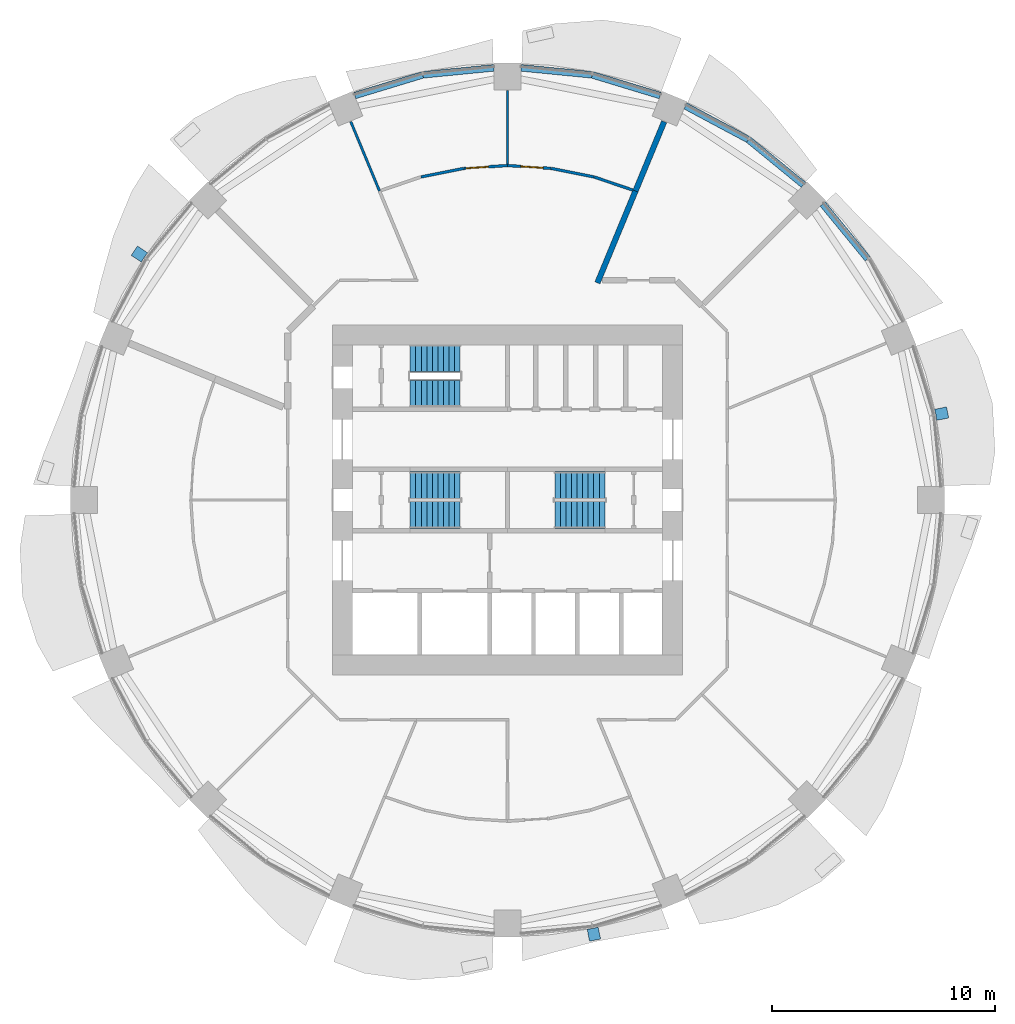
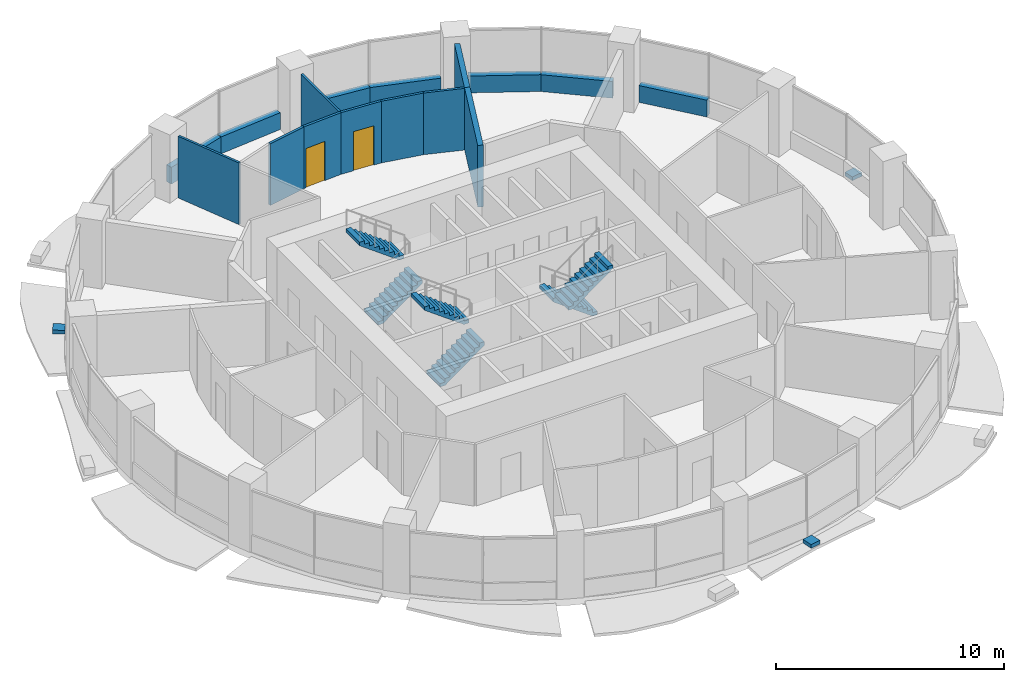
# One storey, part 11 of 15: 16 walls, 6 stair flights, 3 discrete accessories, 2 doors, 2 openings, 3 elements without a shape of their own.
"""IFC4 building model written with IfcOpenShell, lengths in metres."""

from ifc_helpers import new_model, si_unit, direction, frame, frame_2d, origin, place, context, subcontext, project, spatial, polyline, rectangle, outline, extrude, material, layer, layer_set, type_object, element, fill, aggregate, save


model = new_model("IFC4")

# Units and contexts
model_context = context("Model", 3, precision=1e-05, world=origin(), true_north=direction((0.0, 1.0)))
body_context = subcontext(model_context, "Body", "Model", "MODEL_VIEW")
ifc_project = project(units=[si_unit("LENGTHUNIT", "METRE"), si_unit("AREAUNIT", "SQUARE_METRE"), si_unit("VOLUMEUNIT", "CUBIC_METRE"), si_unit("PLANEANGLEUNIT", "RADIAN"), si_unit("MASSUNIT", "GRAM", prefix="KILO")], contexts=[model_context])

# Site, building, storey
site_placement = place(None, origin())
site = spatial("IfcSite", under=ifc_project, at=site_placement, CompositionType="ELEMENT")
building_placement = place(site_placement, origin())
building = spatial("IfcBuilding", under=site, at=building_placement, Name="Polderwave Tower", CompositionType="ELEMENT")
storey_placement = place(building_placement, frame((0.0, 0.0, 55.39990234375)))
storey = spatial("IfcBuildingStorey", under=building, at=storey_placement, Name="L14", CompositionType="ELEMENT", Elevation=55.39990234375)

# Walls
ifc_material_1 = material(Name="Concrete C50/60 (board-marked)", Category="concrete")
ifc_layer_1 = layer(ifc_material_1, 0.300048828125)
ifc_layer_set_1 = layer_set([ifc_layer_1], Name="Concrete spandrel upstand C50/60")
wall_type_1 = type_object("IfcWallType", Name="Concrete spandrel upstand C50/60", PredefinedType="SOLIDWALL", material=ifc_layer_set_1)
for number, where, z_axis, x_axis, name in (
    (1, (16.1875, 10.83349609375, 0.0), (0.0, 0.0, 1.0), (-0.634229767652, 0.773144618958, 0.0), "Spandrel L14 2b"),
    (2, (13.29833984375, 14.16552734375, 0.0), (0.0, 0.0, 1.0), (-0.773144618958, 0.634229767652, 0.0), "Spandrel L14 3a"),
):
    element("IfcWall", number, at=place(storey_placement, frame(where, z_axis=z_axis, x_axis=x_axis)), inside=storey, type_object=wall_type_1, Name=name, PredefinedType="SOLIDWALL", context=body_context, shape_type="SweptSolid", body=[
        extrude(rectangle(XDim=3.18798828125, YDim=0.300048828125, at=frame_2d((1.593994140625, 0.0))), origin(), (0.0, 0.0, 1.0), 0.900146484375),
    ])
wall_1_placement = place(storey_placement, frame((10.808837890625, 16.2041015625, 0.0), z_axis=(0.0, 0.0, 1.0), x_axis=(-0.881994263934, 0.471260138764, 0.0)))
element("IfcWall", 3, at=wall_1_placement, inside=storey, type_object=wall_type_1, Name="Spandrel L14 3b", PredefinedType="SOLIDWALL", context=body_context, shape_type="SweptSolid", body=[
    extrude(rectangle(XDim=3.1865234375, YDim=0.300048828125, at=frame_2d((1.59326171875, 0.0))), origin(), (0.0, 0.0, 1.0), 0.900146484375),
])
wall_2_placement = place(storey_placement, frame((6.864501953125, 18.17529296875, 0.0), z_axis=(0.0, 0.0, 1.0), x_axis=(-0.956849017819, 0.290585541792, 0.0)))
element("IfcWall", 4, at=wall_2_placement, inside=storey, type_object=wall_type_1, Name="Spandrel L14 4a", PredefinedType="SOLIDWALL", context=body_context, shape_type="SweptSolid", body=[
    extrude(rectangle(XDim=3.1875, YDim=0.300048828125, at=frame_2d((1.59375, 0.0))), origin(), (0.0, 0.0, 1.0), 0.900146484375),
])
for number, where, z_axis, x_axis, name in (
    (5, (3.78515625, 19.107421875, 0.0), (0.0, 0.0, 1.0), (-0.995198144732, 0.097880808755, 0.0), "Spandrel L14 4b"),
    (6, (-0.61279296875, 19.41943359375, 0.0), (0.0, 0.0, 1.0), (-0.995198144732, -0.097880808755, 0.0), "Spandrel L14 5a"),
):
    element("IfcWall", number, at=place(storey_placement, frame(where, z_axis=z_axis, x_axis=x_axis)), inside=storey, type_object=wall_type_1, Name=name, PredefinedType="SOLIDWALL", context=body_context, shape_type="SweptSolid", body=[
        extrude(rectangle(XDim=3.187744140625, YDim=0.300048828125, at=frame_2d((1.59375, 0.0))), origin(), (0.0, 0.0, 1.0), 0.900146484375),
    ])
wall_3_placement = place(storey_placement, frame((-3.814453125, 19.1015625, 0.0), z_axis=(0.0, 0.0, 1.0), x_axis=(-0.956849017819, -0.290585541792, 0.0)))
element("IfcWall", 7, at=wall_3_placement, inside=storey, type_object=wall_type_1, Name="Spandrel L14 5b", PredefinedType="SOLIDWALL", context=body_context, shape_type="SweptSolid", body=[
    extrude(rectangle(XDim=3.1875, YDim=0.300048828125, at=frame_2d((1.59375, 0.0))), origin(), (0.0, 0.0, 1.0), 0.900146484375),
])

# Wall, opening, door
ifc_material_2 = material(Name="Fire-resisting board on steel studs", Category="steel")
ifc_layer_2 = layer(ifc_material_2, 0.125)
ifc_layer_set_2 = layer_set([ifc_layer_2], Name="Corridor wall 125 mm EI 60")
wall_type_2 = type_object("IfcWallType", Name="Corridor wall 125 mm EI 60", PredefinedType="PARTITIONING", material=ifc_layer_set_2)
wall_4_placement = place(storey_placement, frame((0.0, 15.030029296875, 0.0), z_axis=(0.0, 0.0, 1.0), x_axis=(0.997855616904, -0.065453554619, 0.0)))
wall_4 = element("IfcWall", 8, at=wall_4_placement, inside=storey, type_object=wall_type_2, Name="IN-L14-W035", PredefinedType="PARTITIONING", context=body_context, shape_type="SweptSolid", body=[
    extrude(rectangle(XDim=1.9619140625, YDim=0.125, at=frame_2d((0.98095703125, 0.0))), origin(), (0.0, 0.0, 1.0), 3.300048828125),
])
opening_1_placement = place(wall_4_placement, frame((0.60009765625, 0.0, 0.0)))
opening_1 = element("IfcOpeningElement", 9, at=opening_1_placement, cuts=wall_4, Name="Opening L14-D63", PredefinedType="OPENING", context=body_context, shape_type="SweptSolid", body=[
    extrude(rectangle(XDim=1.0, YDim=2.10009765625, at=frame_2d((0.5, 1.050048828125))), frame((0.0, 0.072509765625, 0.0), z_axis=(0.0, -1.0, 0.0), x_axis=(1.0, 0.0, 0.0)), (0.0, 0.0, 1.0), 0.14501953125),
])
ifc_material_3 = material(Name="Timber fire door leaf", Category="wood")
door_type = type_object("IfcDoorType", Name="Fire door FD30S 1000 x 2100", OperationType="NOTDEFINED", PredefinedType="DOOR", material=ifc_material_3)
door_1_placement = place(opening_1_placement, origin())
door_1 = element("IfcDoor", 10, at=door_1_placement, inside=storey, type_object=door_type, Name="Door L14-D63", OperationType="SINGLE_SWING_RIGHT", OverallHeight=2.10009765625, OverallWidth=1.0, PredefinedType="DOOR", context=body_context, shape_type="SweptSolid", body=[
    extrude(rectangle(XDim=1.0, YDim=2.10009765625, at=frame_2d((0.5, 1.050048828125))), frame((0.0, 0.02490234375, 0.0), z_axis=(0.0, -1.0, 0.0), x_axis=(1.0, 0.0, 0.0)), (0.0, 0.0, 1.0), 0.050048828125),
])
fill(opening_1, door_1)

# Walls
wall_5_placement = place(storey_placement, frame((1.9658203125, 14.900634765625, 0.0), z_axis=(0.0, 0.0, 1.0), x_axis=(0.980795915473, -0.19503684829, 0.0)))
element("IfcWall", 11, at=wall_5_placement, inside=storey, type_object=wall_type_2, Name="IN-L14-W036", PredefinedType="PARTITIONING", context=body_context, shape_type="SweptSolid", body=[
    extrude(rectangle(XDim=1.957763671875, YDim=0.125, at=frame_2d((0.97900390625, 0.0))), origin(), (0.0, 0.0, 1.0), 3.300048828125),
])
wall_6_placement = place(storey_placement, frame((3.89404296875, 14.5166015625, 0.0), z_axis=(0.0, 0.0, 1.0), x_axis=(0.946909907848, -0.321499030201, 0.0)))
element("IfcWall", 12, at=wall_6_placement, inside=storey, type_object=wall_type_2, Name="IN-L14-W037", PredefinedType="PARTITIONING", context=body_context, shape_type="SweptSolid", body=[
    extrude(rectangle(XDim=1.832275390625, YDim=0.125, at=frame_2d((0.916015625, 0.0))), origin(), (0.0, 0.0, 1.0), 3.300048828125),
])
wall_7_placement = place(storey_placement, frame((-3.885986328125, 14.518798828125, 0.0), z_axis=(0.0, 0.0, 1.0), x_axis=(0.980795915473, 0.19503684829, 0.0)))
element("IfcWall", 13, at=wall_7_placement, inside=storey, type_object=wall_type_2, Name="IN-L14-W040", PredefinedType="PARTITIONING", context=body_context, shape_type="SweptSolid", body=[
    extrude(rectangle(XDim=1.957763671875, YDim=0.125, at=frame_2d((0.97900390625, 0.0))), origin(), (0.0, 0.0, 1.0), 3.300048828125),
])

# Wall, opening, door
wall_8_placement = place(storey_placement, frame((-1.957763671875, 14.901611328125, 0.0), z_axis=(0.0, 0.0, 1.0), x_axis=(0.997855616904, 0.065453554619, 0.0)))
wall_8 = element("IfcWall", 14, at=wall_8_placement, inside=storey, type_object=wall_type_2, Name="IN-L14-W041", PredefinedType="PARTITIONING", context=body_context, shape_type="SweptSolid", body=[
    extrude(rectangle(XDim=1.9619140625, YDim=0.125, at=frame_2d((0.98095703125, 0.0))), origin(), (0.0, 0.0, 1.0), 3.300048828125),
])
opening_2_placement = place(wall_8_placement, frame((0.10009765625, 0.0, 0.0)))
opening_2 = element("IfcOpeningElement", 15, at=opening_2_placement, cuts=wall_8, Name="Opening L14-D64", PredefinedType="OPENING", context=body_context, shape_type="SweptSolid", body=[
    extrude(rectangle(XDim=1.0, YDim=2.10009765625, at=frame_2d((0.5, 1.050048828125))), frame((0.0, 0.072509765625, 0.0), z_axis=(0.0, -1.0, 0.0), x_axis=(1.0, 0.0, 0.0)), (0.0, 0.0, 1.0), 0.14501953125),
])
door_2_placement = place(opening_2_placement, origin())
door_2 = element("IfcDoor", 16, at=door_2_placement, inside=storey, type_object=door_type, Name="Door L14-D64", OperationType="SINGLE_SWING_LEFT", OverallHeight=2.10009765625, OverallWidth=1.0, PredefinedType="DOOR", context=body_context, shape_type="SweptSolid", body=[
    extrude(rectangle(XDim=1.0, YDim=2.10009765625, at=frame_2d((0.5, 1.050048828125))), frame((0.0, 0.02490234375, 0.0), z_axis=(0.0, -1.0, 0.0), x_axis=(1.0, 0.0, 0.0)), (0.0, 0.0, 1.0), 0.050048828125),
])
fill(opening_2, door_2)

# Walls
ifc_material_4 = material(Name="Acoustic double plasterboard on steel studs", Category="steel")
ifc_layer_3 = layer(ifc_material_4, 0.110107421875)
ifc_layer_set_3 = layer_set([ifc_layer_3], Name="Partition 110 mm acoustic double board")
wall_type_3 = type_object("IfcWallType", Name="Partition 110 mm acoustic double board", PredefinedType="PARTITIONING", material=ifc_layer_set_3)
wall_9_placement = place(storey_placement, frame((0.0, 15.09619140625, 0.0), z_axis=(0.0, 0.0, 1.0), x_axis=(0.0, 1.0, 0.0)))
element("IfcWall", 17, at=wall_9_placement, inside=storey, type_object=wall_type_3, Name="IN-L14-W038", PredefinedType="PARTITIONING", context=body_context, shape_type="SweptSolid", body=[
    extrude(rectangle(XDim=3.3037109375, YDim=0.110107421875, at=frame_2d((1.65185546875, 0.0))), origin(), (0.0, 0.0, 1.0), 3.300048828125),
])
wall_10_placement = place(storey_placement, frame((-5.751708984375, 13.885986328125, 0.0), z_axis=(0.0, 0.0, 1.0), x_axis=(-0.382716478617, 0.923865843613, 0.0)))
element("IfcWall", 18, at=wall_10_placement, inside=storey, type_object=wall_type_3, Name="IN-L14-W043", PredefinedType="PARTITIONING", context=body_context, shape_type="SweptSolid", body=[
    extrude(rectangle(XDim=3.3701171875, YDim=0.110107421875, at=frame_2d((1.68505859375, 0.0))), origin(), (0.0, 0.0, 1.0), 3.300048828125),
])
ifc_material_5 = material(Name="Fire-resisting board on steel studs, mineral wool", Category="steel")
ifc_layer_4 = layer(ifc_material_5, 0.25)
ifc_layer_set_4 = layer_set([ifc_layer_4], Name="Plant room wall 250 mm EI 120")
wall_type_4 = type_object("IfcWallType", Name="Plant room wall 250 mm EI 120", PredefinedType="PARTITIONING", material=ifc_layer_set_4)
wall_11_placement = place(storey_placement, frame((4.0419921875, 9.758544921875, 0.0), z_axis=(0.0, 0.0, 1.0), x_axis=(0.382697682956, 0.923873629595, 0.0)))
element("IfcWall", 19, at=wall_11_placement, inside=storey, type_object=wall_type_4, Name="IN-L14-W033", PredefinedType="PARTITIONING", context=body_context, shape_type="SweptSolid", body=[
    extrude(rectangle(XDim=4.467529296875, YDim=0.25, at=frame_2d((2.23388671875, 0.0))), origin(), (0.0, 0.0, 1.0), 3.300048828125),
])
wall_12_placement = place(storey_placement, frame((5.751708984375, 13.885986328125, 0.0), z_axis=(0.0, 0.0, 1.0), x_axis=(0.382716478617, 0.923865843613, 0.0)))
element("IfcWall", 20, at=wall_12_placement, inside=storey, type_object=wall_type_4, Name="IN-L14-W034", PredefinedType="PARTITIONING", context=body_context, shape_type="SweptSolid", body=[
    extrude(rectangle(XDim=3.3701171875, YDim=0.25, at=frame_2d((1.68505859375, 0.0))), origin(), (0.0, 0.0, 1.0), 3.300048828125),
])

# Stair, stair flights
ifc_material_6 = material(Name="Concrete C40/50", Category="concrete")
stair_type = type_object("IfcStairType", Name="Exit stair 1200 x 20 risers", PredefinedType="HALF_TURN_STAIR", material=ifc_material_6)
stair_1_placement = place(storey_placement, origin())
stair_1 = element("IfcStair", 21, at=stair_1_placement, inside=storey, type_object=stair_type, Name="L14 Exit stair A", PredefinedType="HALF_TURN_STAIR")
stair_flight_type = type_object("IfcStairFlightType", Name="Stair flight 1200", PredefinedType="STRAIGHT", material=ifc_material_6)
stair_flight_1_placement = place(storey_placement, frame((-4.3740234375, -0.675048828125, 0.0), z_axis=(0.0, 0.0, 1.0), x_axis=(1.0, 0.0, 0.0)))
stair_flight_1 = element("IfcStairFlight", 22, at=stair_flight_1_placement, type_object=stair_flight_type, Name="ST-A flight 1", NumberOfRisers=10, NumberOfTreads=9, PredefinedType="STRAIGHT", RiserHeight=0.1825, TreadLength=0.25, context=body_context, shape_type="SweptSolid", body=[
    extrude(outline(polyline([(0.0, 0.0), (0.0, 0.1826171875), (0.25, 0.1826171875), (0.25, 0.364990234375), (0.5, 0.364990234375), (0.5, 0.547607421875), (0.75, 0.547607421875), (0.75, 0.72998046875), (1.0, 0.72998046875), (1.0, 0.91259765625), (1.25, 0.91259765625), (1.25, 1.094970703125), (1.5, 1.094970703125), (1.5, 1.277587890625), (1.75, 1.277587890625), (1.75, 1.4599609375), (2.0, 1.4599609375), (2.0, 1.642578125), (2.25, 1.642578125), (2.25, 1.824951171875), (2.25, 1.456787109375), (0.254150390625, 0.0), (0.0, 0.0)])), frame((0.0, 0.60009765625, 0.0), z_axis=(0.0, -1.0, 0.0), x_axis=(1.0, 0.0, 0.0)), (0.0, 0.0, 1.0), 1.199951171875),
])
stair_flight_2_placement = place(storey_placement, frame((-2.1240234375, 0.675048828125, 1.8251953125), z_axis=(0.0, 0.0, 1.0), x_axis=(-1.0, 0.0, 0.0)))
stair_flight_2 = element("IfcStairFlight", 23, at=stair_flight_2_placement, type_object=stair_flight_type, Name="ST-A flight 2", NumberOfRisers=10, NumberOfTreads=9, PredefinedType="STRAIGHT", RiserHeight=0.1825, TreadLength=0.25, context=body_context, shape_type="SweptSolid", body=[
    extrude(outline(polyline([(0.0, 0.0), (0.0, 0.1826171875), (0.25, 0.1826171875), (0.25, 0.364990234375), (0.5, 0.364990234375), (0.5, 0.547607421875), (0.75, 0.547607421875), (0.75, 0.72998046875), (1.0, 0.72998046875), (1.0, 0.91259765625), (1.25, 0.91259765625), (1.25, 1.094970703125), (1.5, 1.094970703125), (1.5, 1.277587890625), (1.75, 1.277587890625), (1.75, 1.4599609375), (2.0, 1.4599609375), (2.0, 1.642578125), (2.25, 1.642578125), (2.25, 1.824951171875), (2.25, 1.456787109375), (0.254150390625, 0.0), (0.0, 0.0)])), frame((0.0, 0.60009765625, 0.0), z_axis=(0.0, -1.0, 0.0), x_axis=(1.0, 0.0, 0.0)), (0.0, 0.0, 1.0), 1.199951171875),
])
aggregate(stair_1, [stair_flight_1, stair_flight_2])

stair_2_placement = place(storey_placement, origin())
stair_2 = element("IfcStair", 24, at=stair_2_placement, inside=storey, type_object=stair_type, Name="L14 Exit stair B", PredefinedType="HALF_TURN_STAIR")
stair_flight_3_placement = place(storey_placement, frame((4.3740234375, 0.675048828125, 0.0), z_axis=(0.0, 0.0, 1.0), x_axis=(-1.0, 0.0, 0.0)))
stair_flight_3 = element("IfcStairFlight", 25, at=stair_flight_3_placement, type_object=stair_flight_type, Name="ST-B flight 1", NumberOfRisers=10, NumberOfTreads=9, PredefinedType="STRAIGHT", RiserHeight=0.1825, TreadLength=0.25, context=body_context, shape_type="SweptSolid", body=[
    extrude(outline(polyline([(0.0, 0.0), (0.0, 0.1826171875), (0.25, 0.1826171875), (0.25, 0.364990234375), (0.5, 0.364990234375), (0.5, 0.547607421875), (0.75, 0.547607421875), (0.75, 0.72998046875), (1.0, 0.72998046875), (1.0, 0.91259765625), (1.25, 0.91259765625), (1.25, 1.094970703125), (1.5, 1.094970703125), (1.5, 1.277587890625), (1.75, 1.277587890625), (1.75, 1.4599609375), (2.0, 1.4599609375), (2.0, 1.642578125), (2.25, 1.642578125), (2.25, 1.824951171875), (2.25, 1.456787109375), (0.254150390625, 0.0), (0.0, 0.0)])), frame((0.0, 0.60009765625, 0.0), z_axis=(0.0, -1.0, 0.0), x_axis=(1.0, 0.0, 0.0)), (0.0, 0.0, 1.0), 1.199951171875),
])
stair_flight_4_placement = place(storey_placement, frame((2.1240234375, -0.675048828125, 1.8251953125), z_axis=(0.0, 0.0, 1.0), x_axis=(1.0, 0.0, 0.0)))
stair_flight_4 = element("IfcStairFlight", 26, at=stair_flight_4_placement, type_object=stair_flight_type, Name="ST-B flight 2", NumberOfRisers=10, NumberOfTreads=9, PredefinedType="STRAIGHT", RiserHeight=0.1825, TreadLength=0.25, context=body_context, shape_type="SweptSolid", body=[
    extrude(outline(polyline([(0.0, 0.0), (0.0, 0.1826171875), (0.25, 0.1826171875), (0.25, 0.364990234375), (0.5, 0.364990234375), (0.5, 0.547607421875), (0.75, 0.547607421875), (0.75, 0.72998046875), (1.0, 0.72998046875), (1.0, 0.91259765625), (1.25, 0.91259765625), (1.25, 1.094970703125), (1.5, 1.094970703125), (1.5, 1.277587890625), (1.75, 1.277587890625), (1.75, 1.4599609375), (2.0, 1.4599609375), (2.0, 1.642578125), (2.25, 1.642578125), (2.25, 1.824951171875), (2.25, 1.456787109375), (0.254150390625, 0.0), (0.0, 0.0)])), frame((0.0, 0.60009765625, 0.0), z_axis=(0.0, -1.0, 0.0), x_axis=(1.0, 0.0, 0.0)), (0.0, 0.0, 1.0), 1.199951171875),
])
aggregate(stair_2, [stair_flight_3, stair_flight_4])

stair_3_placement = place(storey_placement, origin())
stair_3 = element("IfcStair", 27, at=stair_3_placement, inside=storey, type_object=stair_type, Name="L14 Exit stair C", PredefinedType="HALF_TURN_STAIR")
stair_flight_5_placement = place(storey_placement, frame((-4.3740234375, 4.77392578125, 0.0), z_axis=(0.0, 0.0, 1.0), x_axis=(1.0, 0.0, 0.0)))
stair_flight_5 = element("IfcStairFlight", 28, at=stair_flight_5_placement, type_object=stair_flight_type, Name="ST-C flight 1", NumberOfRisers=10, NumberOfTreads=9, PredefinedType="STRAIGHT", RiserHeight=0.1825, TreadLength=0.25, context=body_context, shape_type="SweptSolid", body=[
    extrude(outline(polyline([(0.0, 0.0), (0.0, 0.1826171875), (0.25, 0.1826171875), (0.25, 0.364990234375), (0.5, 0.364990234375), (0.5, 0.547607421875), (0.75, 0.547607421875), (0.75, 0.72998046875), (1.0, 0.72998046875), (1.0, 0.91259765625), (1.25, 0.91259765625), (1.25, 1.094970703125), (1.5, 1.094970703125), (1.5, 1.277587890625), (1.75, 1.277587890625), (1.75, 1.4599609375), (2.0, 1.4599609375), (2.0, 1.642578125), (2.25, 1.642578125), (2.25, 1.824951171875), (2.25, 1.456787109375), (0.254150390625, 0.0), (0.0, 0.0)])), frame((0.0, 0.60009765625, 0.0), z_axis=(0.0, -1.0, 0.0), x_axis=(1.0, 0.0, 0.0)), (0.0, 0.0, 1.0), 1.199951171875),
])
stair_flight_6_placement = place(storey_placement, frame((-2.1240234375, 6.3740234375, 1.8251953125), z_axis=(0.0, 0.0, 1.0), x_axis=(-1.0, 0.0, 0.0)))
stair_flight_6 = element("IfcStairFlight", 29, at=stair_flight_6_placement, type_object=stair_flight_type, Name="ST-C flight 2", NumberOfRisers=10, NumberOfTreads=9, PredefinedType="STRAIGHT", RiserHeight=0.1825, TreadLength=0.25, context=body_context, shape_type="SweptSolid", body=[
    extrude(outline(polyline([(0.0, 0.0), (0.0, 0.1826171875), (0.25, 0.1826171875), (0.25, 0.364990234375), (0.5, 0.364990234375), (0.5, 0.547607421875), (0.75, 0.547607421875), (0.75, 0.72998046875), (1.0, 0.72998046875), (1.0, 0.91259765625), (1.25, 0.91259765625), (1.25, 1.094970703125), (1.5, 1.094970703125), (1.5, 1.277587890625), (1.75, 1.277587890625), (1.75, 1.4599609375), (2.0, 1.4599609375), (2.0, 1.642578125), (2.25, 1.642578125), (2.25, 1.824951171875), (2.25, 1.456787109375), (0.254150390625, 0.0), (0.0, 0.0)])), frame((0.0, 0.60009765625, 0.0), z_axis=(0.0, -1.0, 0.0), x_axis=(1.0, 0.0, 0.0)), (0.0, 0.0, 1.0), 1.199951171875),
])
aggregate(stair_3, [stair_flight_5, stair_flight_6])

# Discrete accessories
ifc_material_7 = material(Name="Steel S355", Category="steel")
discrete_accessory_type = type_object("IfcDiscreteAccessoryType", Name="Band bracket pad", PredefinedType="BRACKET", material=ifc_material_7)
discrete_accessory_1_placement = place(storey_placement, frame((0.0, 0.0, -0.199951171875)))
element("IfcDiscreteAccessory", 30, at=discrete_accessory_1_placement, inside=storey, type_object=discrete_accessory_type, Name="Band bracket L14 1", PredefinedType="BRACKET", context=body_context, shape_type="SweptSolid", body=[
    extrude(outline(polyline([(19.28955078125, 3.582275390625), (19.252685546875, 3.82958984375), (19.192138671875, 4.072021484375), (19.72998046875, 4.186279296875), (19.830322265625, 3.682861328125), (19.28955078125, 3.582275390625)])), origin(), (0.0, 0.0, 1.0), 0.199951171875),
])
discrete_accessory_2_placement = place(storey_placement, frame((0.0, 0.0, -0.199951171875)))
element("IfcDiscreteAccessory", 31, at=discrete_accessory_2_placement, inside=storey, type_object=discrete_accessory_type, Name="Band bracket L14 7", PredefinedType="BRACKET", context=body_context, shape_type="SweptSolid", body=[
    extrude(outline(polyline([(-16.1728515625, 11.106689453125), (-16.32177734375, 10.90576171875), (-16.4501953125, 10.69140625), (-16.911376953125, 10.9912109375), (-16.626220703125, 11.41796875), (-16.1728515625, 11.106689453125)])), origin(), (0.0, 0.0, 1.0), 0.199951171875),
])
discrete_accessory_3_placement = place(storey_placement, frame((0.0, 0.0, -0.199951171875)))
element("IfcDiscreteAccessory", 32, at=discrete_accessory_3_placement, inside=storey, type_object=discrete_accessory_type, Name="Band bracket L14 13", PredefinedType="BRACKET", context=body_context, shape_type="SweptSolid", body=[
    extrude(outline(polyline([(3.582275390625, -19.28955078125), (3.82958984375, -19.252685546875), (4.072021484375, -19.192138671875), (4.186279296875, -19.72998046875), (3.682861328125, -19.830322265625), (3.582275390625, -19.28955078125)])), origin(), (0.0, 0.0, 1.0), 0.199951171875),
])

save(model, "model.ifc")
